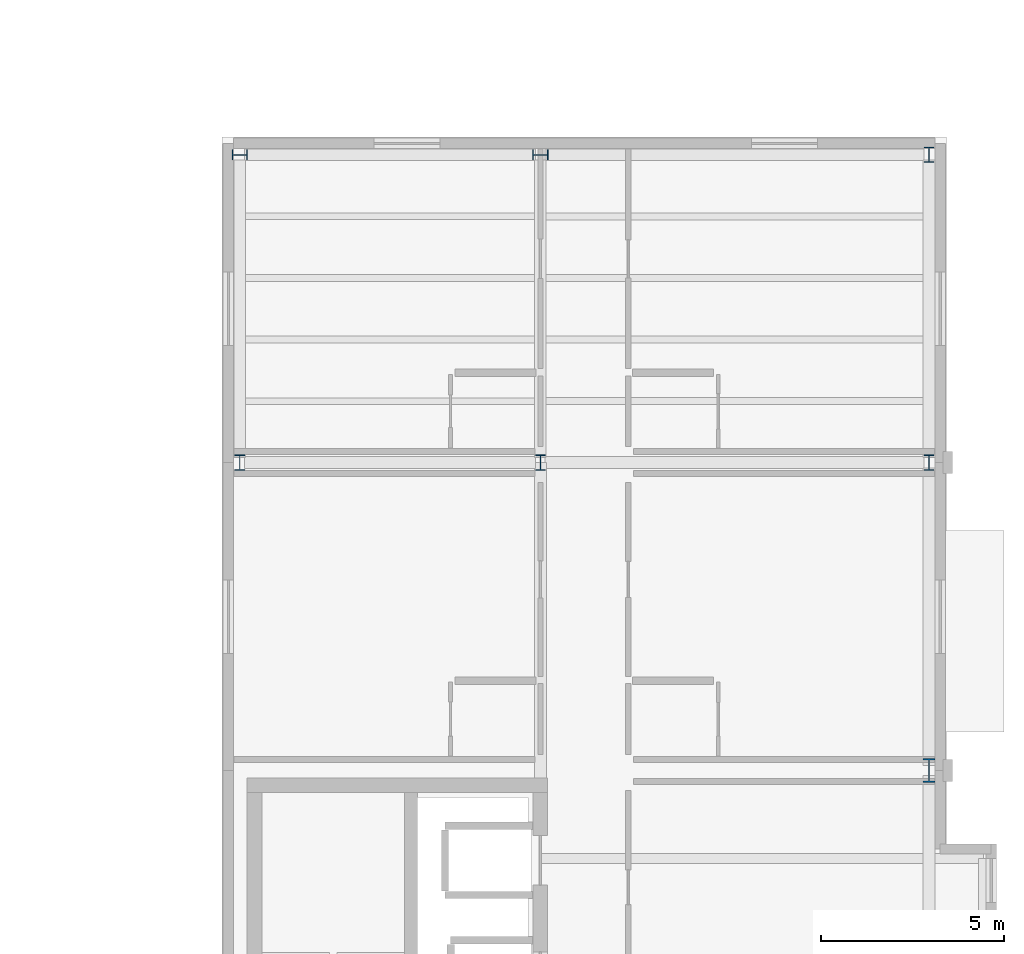
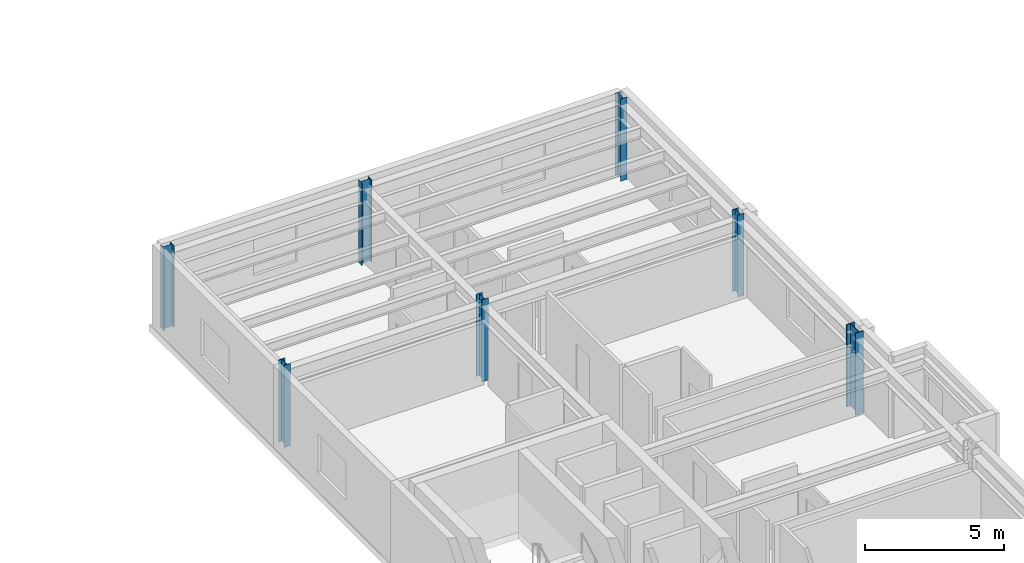
# One storey, part 6 of 34: 7 columns.
"""IFC4 building model written with IfcOpenShell, lengths in metres."""

import ifcopenshell
import ifcopenshell.guid

model = None  # the IFC model being written
_history = None  # IfcOwnerHistory: only IFC2X3 demands one
_inside = {}  # id of a spatial element -> (the spatial element, [elements in it])
_under = {}  # id of a project, library or spatial element -> (it, [spatial elements below it])
_declared = {}  # id of a project -> (the project, [libraries it declares])
_typed = {}  # id of a type object -> (the type object, [elements of that type])
_made_of = {}  # id of a material, layer set ... -> (it, [elements and type objects made of it])


def new_model(schema):
    """Start an empty IFC model of exactly this schema.

    Asked for "IFC4X3", IfcOpenShell would pick the latest addendum, in which some entities
    have other attributes; the version numbers below select the first issue.
    IFC2X3 requires an IfcOwnerHistory on every rooted entity: one is made here for all.
    """
    global model, _history
    if schema == "IFC4X3":
        model = ifcopenshell.file(schema_version=(4, 3, 0, 0))
    else:
        model = ifcopenshell.file(schema=schema)
    _inside.clear()
    _under.clear()
    _declared.clear()
    _typed.clear()
    _made_of.clear()
    _history = None
    if model.schema == "IFC2X3":
        org = make("IfcOrganization", Name="unknown")
        user = make(
            "IfcPersonAndOrganization",
            ThePerson=make("IfcPerson", FamilyName="unknown"),
            TheOrganization=org,
        )
        app = make(
            "IfcApplication",
            ApplicationDeveloper=org,
            Version="unknown",
            ApplicationFullName="unknown",
            ApplicationIdentifier="unknown",
        )
        _history = make(
            "IfcOwnerHistory",
            OwningUser=user,
            OwningApplication=app,
            ChangeAction="ADDED",
            CreationDate=0,
        )
    return model


def make(cls, **values):
    """One entity of the class cls with the attributes given. An attribute that is None is left unset."""
    return model.create_entity(
        cls, **{name: value for name, value in values.items() if value is not None}
    )


def rooted(cls, **values):
    """An entity with a GlobalId (a new one), such as an element, a storey or a relation."""
    return make(cls, GlobalId=ifcopenshell.guid.new(), OwnerHistory=_history, **values)


def si_unit(unit_type, name, prefix=None):
    """IfcSIUnit, for example si_unit("LENGTHUNIT", "METRE", prefix="MILLI")."""
    return make("IfcSIUnit", UnitType=unit_type, Prefix=prefix, Name=name)


def assignment(units):
    """IfcUnitAssignment: the units of a project."""
    return None if units is None else make("IfcUnitAssignment", Units=units)


def point(xyz):
    """IfcCartesianPoint."""
    return None if xyz is None else make("IfcCartesianPoint", Coordinates=xyz)


def direction(xyz):
    """IfcDirection."""
    return None if xyz is None else make("IfcDirection", DirectionRatios=xyz)


def frame(location, z_axis=None, x_axis=None):
    """IfcAxis2Placement3D, a coordinate frame: its origin and axes. An axis left out is left unset."""
    return make(
        "IfcAxis2Placement3D",
        Location=point(location),
        Axis=direction(z_axis),
        RefDirection=direction(x_axis),
    )


def frame_2d(location, x_axis=None):
    """IfcAxis2Placement2D, a coordinate frame in the plane: its origin and x axis."""
    return make(
        "IfcAxis2Placement2D", Location=point(location), RefDirection=direction(x_axis)
    )


def origin():
    """The frame at (0, 0, 0) with its axes left unset."""
    return frame((0.0, 0.0, 0.0))


def origin_2d():
    """The frame at (0, 0) in the plane with its x axis left unset."""
    return frame_2d((0.0, 0.0))


def place(relative_to, where):
    """IfcLocalPlacement: puts the frame where relative to a parent placement (None: the world)."""
    return make(
        "IfcLocalPlacement", PlacementRelTo=relative_to, RelativePlacement=where
    )


def context(
    kind, dimensions, precision=None, world=None, true_north=None, identifier=None
):
    """IfcGeometricRepresentationContext, for example the 3D "Model" context."""
    return make(
        "IfcGeometricRepresentationContext",
        ContextIdentifier=identifier,
        ContextType=kind,
        CoordinateSpaceDimension=dimensions,
        Precision=precision,
        WorldCoordinateSystem=world,
        TrueNorth=true_north,
    )


def subcontext(parent, identifier, kind, view, scale=None):
    """IfcGeometricRepresentationSubContext, for example "Body" below "Model"."""
    return make(
        "IfcGeometricRepresentationSubContext",
        ContextIdentifier=identifier,
        ContextType=kind,
        ParentContext=parent,
        TargetScale=scale,
        TargetView=view,
    )


def project(units=None, contexts=None):
    """IfcProject with its units and contexts."""
    return rooted(
        "IfcProject",
        Name="project",
        RepresentationContexts=contexts,
        UnitsInContext=assignment(units),
    )


def spatial(cls, under=None, at=None, **own):
    """A site, building, storey or space (cls), placed at a placement, below another one or the project."""
    s = rooted(cls, ObjectPlacement=at, **own)
    if under is not None:
        _under.setdefault(under.id(), (under, []))[1].append(s)
    return s


def profile(cls, at=None, kind="AREA", **sizes):
    """A parametric profile (cls). Its sizes go by their IFC names, for example OverallWidth=200.0."""
    return make(cls, ProfileType=kind, Position=at, **sizes)


def i_section(**sizes):
    """IfcIShapeProfileDef."""
    return profile("IfcIShapeProfileDef", **sizes)


def extrude(swept, where, along, depth):
    """IfcExtrudedAreaSolid: the profile swept, set in the frame where, extruded along a direction by depth."""
    return make(
        "IfcExtrudedAreaSolid",
        SweptArea=swept,
        Position=where,
        ExtrudedDirection=direction(along),
        Depth=depth,
    )


def shape(context_of_items, identifier, shape_type, items):
    """IfcShapeRepresentation: the items that make up one representation, for example the "Body"."""
    return make(
        "IfcShapeRepresentation",
        ContextOfItems=context_of_items,
        RepresentationIdentifier=identifier,
        RepresentationType=shape_type,
        Items=items,
    )


def material(Name=None, Category=None):
    """IfcMaterial."""
    return make("IfcMaterial", Name=Name, Category=Category)


def material_profile(
    of_material, cross_section, Name=None, Category=None, Priority=None
):
    """IfcMaterialProfile: a cross section and its material."""
    return make(
        "IfcMaterialProfile",
        Name=Name,
        Material=of_material,
        Profile=cross_section,
        Priority=Priority,
        Category=Category,
    )


def profile_set(profiles, Name=None, composite=None):
    """IfcMaterialProfileSet."""
    return make(
        "IfcMaterialProfileSet",
        Name=Name,
        MaterialProfiles=profiles,
        CompositeProfile=composite,
    )


def made_of(thing, what):
    """Note that an element or type object is made of a material, layer set ...; save() writes the relation."""
    if what is not None:
        _made_of.setdefault(what.id(), (what, []))[1].append(thing)
    return thing


def type_object(cls, material=None, **own):
    """A type object (cls), such as IfcWallType, which elements share."""
    return made_of(rooted(cls, **own), material)


def element(
    cls,
    number,
    at=None,
    inside=None,
    cuts=None,
    type_object=None,
    material=None,
    context=None,
    identifier="Body",
    shape_type=None,
    held_by="IfcProductDefinitionShape",
    body=None,
    shapes=None,
    **own,
):
    """One element of the class cls, such as IfcWall. Its Tag is "e" and its number.

    at: its placement. inside: the storey or other place that contains it. cuts: it is an
    opening in that element (IfcRelVoidsElement). A single representation is given by context,
    identifier, shape_type and body (its items); several are given by shapes. held_by: the class
    of the entity that holds the representations. save() writes the other relations.
    """
    e = rooted(cls, Tag="e%d" % number, ObjectPlacement=at, **own)
    if body is not None:
        shapes = [shape(context, identifier, shape_type, body)]
    if shapes is not None:
        e.Representation = make(held_by, Representations=shapes)
    if inside is not None:
        _inside.setdefault(inside.id(), (inside, []))[1].append(e)
    if cuts is not None:
        rooted(
            "IfcRelVoidsElement", RelatingBuildingElement=cuts, RelatedOpeningElement=e
        )
    if type_object is not None:
        _typed.setdefault(type_object.id(), (type_object, []))[1].append(e)
    return made_of(e, material)


def aggregate(whole, parts):
    """IfcRelAggregates: a whole, such as a stair, and the parts it consists of."""
    return rooted("IfcRelAggregates", RelatingObject=whole, RelatedObjects=parts)


def save(model, path):
    """Write the relations noted so far, then the file.

    IfcRelAggregates (storeys below a building ...), IfcRelContainedInSpatialStructure (elements
    in a storey), IfcRelDefinesByType, IfcRelAssociatesMaterial and IfcRelDeclares: one each for
    every whole, place, type object, material and project.
    """
    for whole, parts in _under.values():
        aggregate(whole, parts)
    for where, things in _inside.values():
        rooted(
            "IfcRelContainedInSpatialStructure",
            RelatedElements=things,
            RelatingStructure=where,
        )
    for kind, things in _typed.values():
        rooted("IfcRelDefinesByType", RelatedObjects=things, RelatingType=kind)
    for what, things in _made_of.values():
        rooted("IfcRelAssociatesMaterial", RelatedObjects=things, RelatingMaterial=what)
    for by, libraries in _declared.values():
        rooted("IfcRelDeclares", RelatingContext=by, RelatedDefinitions=libraries)
    model.write(path)


model = new_model("IFC4")

# Units and contexts
model_context = context("Model", 3, precision=1e-05, world=origin(), true_north=direction((0.0, 1.0)))
body_context = subcontext(model_context, "Body", "Model", "MODEL_VIEW")
ifc_project = project(units=[si_unit("LENGTHUNIT", "METRE"), si_unit("AREAUNIT", "SQUARE_METRE"), si_unit("VOLUMEUNIT", "CUBIC_METRE"), si_unit("PLANEANGLEUNIT", "RADIAN"), si_unit("MASSUNIT", "GRAM", prefix="KILO")], contexts=[model_context])

# Site, building, storey
site_placement = place(None, origin())
site = spatial("IfcSite", under=ifc_project, at=site_placement, CompositionType="ELEMENT")
building_placement = place(site_placement, origin())
building = spatial("IfcBuilding", under=site, at=building_placement, Name="Sollismere Congress Hotel", CompositionType="ELEMENT")
storey_placement = place(building_placement, frame((0.0, 0.0, 23.39990234375)))
storey = spatial("IfcBuildingStorey", under=building, at=storey_placement, Name="L05", CompositionType="ELEMENT", Elevation=23.39990234375)

# Columns
ifc_material = material(Name="Steel ASTM A992 Grade 50", Category="steel")
ifc_material_profile_1 = material_profile(ifc_material, i_section(OverallWidth=0.261962890625, OverallDepth=0.4189453125, WebThickness=0.01171875, FlangeThickness=0.019287109375, at=origin_2d()), Name="W16X77")
ifc_profile_set_1 = profile_set([ifc_material_profile_1], Name="Steel ASTM A992 Grade 50")
column_type_1 = type_object("IfcColumnType", Name="COL-W16", PredefinedType="COLUMN", material=ifc_profile_set_1)
for number, where, z_axis, x_axis, name in (
    (1, (147.199951171875, 58.39990234375, 0.0), (0.0, 0.0, 1.0), (1.0, 0.0, 0.0), "Column CL-L05-838"),
    (2, (147.199951171875, 66.800048828125, 0.0), (0.0, 0.0, 1.0), (0.0, 1.0, 0.0), "Column CL-L05-847"),
    (3, (155.39990234375, 58.39990234375, 0.0), (0.0, 0.0, 1.0), (1.0, 0.0, 0.0), "Column CL-L05-926"),
    (4, (155.39990234375, 66.800048828125, 0.0), (0.0, 0.0, 1.0), (0.0, 1.0, 0.0), "Column CL-L05-935"),
    (5, (166.0, 58.39990234375, 0.0), (0.0, 0.0, 1.0), (1.0, 0.0, 0.0), "Column CL-L05-1040"),
    (6, (166.0, 66.800048828125, 0.0), (0.0, 0.0, 1.0), (1.0, 0.0, 0.0), "Column CL-L05-1049"),
):
    element("IfcColumn", number, at=place(storey_placement, frame(where, z_axis=z_axis, x_axis=x_axis)), inside=storey, type_object=column_type_1, Name=name, PredefinedType="COLUMN", context=body_context, shape_type="SweptSolid", body=[
        extrude(i_section(OverallWidth=0.261962890625, OverallDepth=0.4189453125, WebThickness=0.01171875, FlangeThickness=0.019287109375, at=origin_2d()), origin(), (0.0, 0.0, 1.0), 3.60009765625),
    ])
ifc_material_profile_2 = material_profile(ifc_material, i_section(OverallWidth=0.3330078125, OverallDepth=0.659912109375, WebThickness=0.0244140625, FlangeThickness=0.0439453125, at=origin_2d()), Name="W24X229")
ifc_profile_set_2 = profile_set([ifc_material_profile_2], Name="Steel ASTM A992 Grade 50")
column_type_2 = type_object("IfcColumnType", Name="COL-W24", PredefinedType="COLUMN", material=ifc_profile_set_2)
column_placement = place(storey_placement, frame((166.0, 50.0, 0.0), z_axis=(0.0, 0.0, 1.0), x_axis=(1.0, 0.0, 0.0)))
element("IfcColumn", 7, at=column_placement, inside=storey, type_object=column_type_2, Name="Column CL-L05-1027", PredefinedType="COLUMN", context=body_context, shape_type="SweptSolid", body=[
    extrude(i_section(OverallWidth=0.3330078125, OverallDepth=0.659912109375, WebThickness=0.0244140625, FlangeThickness=0.0439453125, at=origin_2d()), origin(), (0.0, 0.0, 1.0), 3.60009765625),
])

save(model, "model.ifc")
